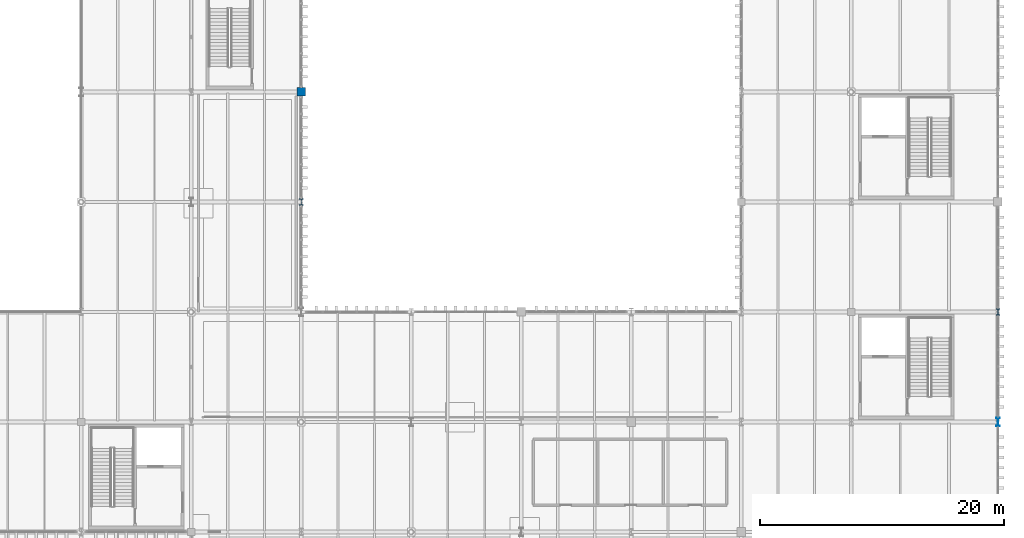
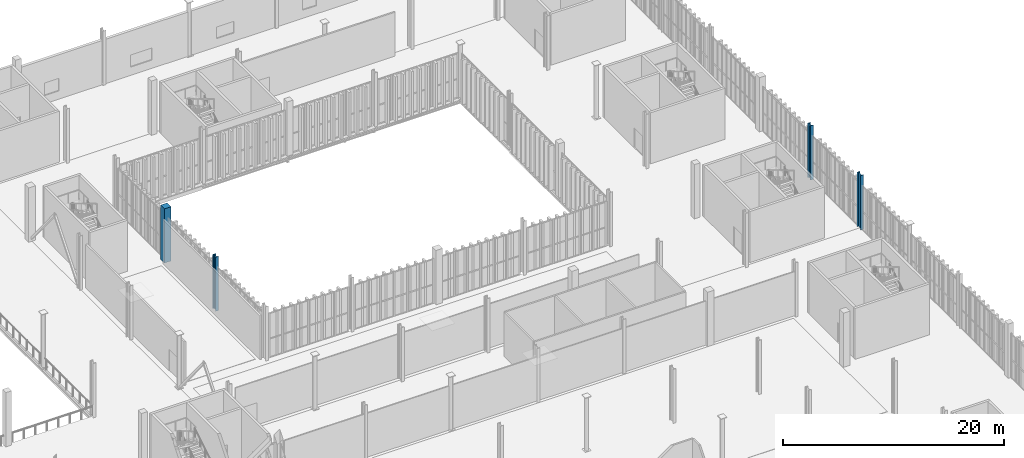
# One storey, part 18 of 211: 4 columns.
"""IFC4 building model written with IfcOpenShell, lengths in metres."""

from ifc_helpers import new_model, si_unit, direction, frame, origin, origin_2d, place, context, subcontext, project, spatial, rectangle, i_section, extrude, material, material_profile, profile_set, type_object, element, save


model = new_model("IFC4")

# Units and contexts
model_context = context("Model", 3, precision=1e-05, world=origin(), true_north=direction((0.0, 1.0)))
body_context = subcontext(model_context, "Body", "Model", "MODEL_VIEW")
ifc_project = project(units=[si_unit("LENGTHUNIT", "METRE"), si_unit("AREAUNIT", "SQUARE_METRE"), si_unit("VOLUMEUNIT", "CUBIC_METRE"), si_unit("PLANEANGLEUNIT", "RADIAN"), si_unit("MASSUNIT", "GRAM", prefix="KILO")], contexts=[model_context])

# Site, building, storey
site_placement = place(None, origin())
site = spatial("IfcSite", under=ifc_project, at=site_placement, CompositionType="ELEMENT")
building_placement = place(site_placement, origin())
building = spatial("IfcBuilding", under=site, at=building_placement, Name="Barlavento Convention Centre", CompositionType="ELEMENT")
storey_placement = place(building_placement, frame((0.0, 0.0, 6.0)))
storey = spatial("IfcBuildingStorey", under=building, at=storey_placement, Name="L01", CompositionType="ELEMENT", Elevation=6.0)

# Columns
ifc_material_1 = material(Name="Steel S355", Category="steel")
ifc_material_profile_1 = material_profile(ifc_material_1, i_section(OverallWidth=0.305908203125, OverallDepth=0.52392578125, WebThickness=0.02099609375, FlangeThickness=0.0400390625, FilletRadius=0.027099609375, at=origin_2d()), Name="HEM 500")
ifc_profile_set_1 = profile_set([ifc_material_profile_1], Name="Steel S355")
column_type_1 = type_object("IfcColumnType", Name="STR-COL-HEM500", PredefinedType="COLUMN", material=ifc_profile_set_1)
for number, where, z_axis, x_axis, name in (
    (1, (135.0, 72.0, 0.0), (0.0, 0.0, 1.0), (1.0, 0.0, 0.0), "L01 column SC07"),
    (2, (192.0, 63.0, 0.0), (0.0, 0.0, 1.0), (1.0, 0.0, 0.0), "L01 column SC07"),
):
    element("IfcColumn", number, at=place(storey_placement, frame(where, z_axis=z_axis, x_axis=x_axis)), inside=storey, type_object=column_type_1, Name=name, PredefinedType="COLUMN", context=body_context, shape_type="SweptSolid", body=[
        extrude(i_section(OverallWidth=0.305908203125, OverallDepth=0.52392578125, WebThickness=0.02099609375, FlangeThickness=0.0400390625, FilletRadius=0.027099609375, at=origin_2d()), origin(), (0.0, 0.0, 1.0), 6.0),
    ])
ifc_material_2 = material(Name="Steel S460", Category="steel")
ifc_material_profile_2 = material_profile(ifc_material_2, i_section(OverallWidth=0.304931640625, OverallDepth=0.66796875, WebThickness=0.02099609375, FlangeThickness=0.0400390625, FilletRadius=0.027099609375, at=origin_2d()), Name="HEM 650")
ifc_profile_set_2 = profile_set([ifc_material_profile_2], Name="Steel S460")
column_type_2 = type_object("IfcColumnType", Name="STR-COL-HEM650", PredefinedType="COLUMN", material=ifc_profile_set_2)
column_1_placement = place(storey_placement, frame((192.0, 54.0, 0.0), z_axis=(0.0, 0.0, 1.0), x_axis=(1.0, 0.0, 0.0)))
element("IfcColumn", 3, at=column_1_placement, inside=storey, type_object=column_type_2, Name="L01 column SC04", PredefinedType="COLUMN", context=body_context, shape_type="SweptSolid", body=[
    extrude(i_section(OverallWidth=0.304931640625, OverallDepth=0.66796875, WebThickness=0.02099609375, FlangeThickness=0.0400390625, FilletRadius=0.027099609375, at=origin_2d()), origin(), (0.0, 0.0, 1.0), 6.0),
])
ifc_material_3 = material(Name="Concrete C40/50", Category="concrete")
ifc_material_profile_3 = material_profile(ifc_material_3, rectangle(XDim=0.699951171875, YDim=0.699951171875, at=origin_2d()), Name="RC 700x700")
ifc_profile_set_3 = profile_set([ifc_material_profile_3], Name="Concrete C40/50")
column_type_3 = type_object("IfcColumnType", Name="STR-COL-RC700", PredefinedType="COLUMN", material=ifc_profile_set_3)
column_2_placement = place(storey_placement, frame((135.0, 81.0, 0.0), z_axis=(0.0, 0.0, 1.0), x_axis=(1.0, 0.0, 0.0)))
element("IfcColumn", 4, at=column_2_placement, inside=storey, type_object=column_type_3, Name="L01 column CC06", PredefinedType="COLUMN", context=body_context, shape_type="SweptSolid", body=[
    extrude(rectangle(XDim=0.699951171875, YDim=0.699951171875, at=origin_2d()), origin(), (0.0, 0.0, 1.0), 6.0),
])

save(model, "model.ifc")
